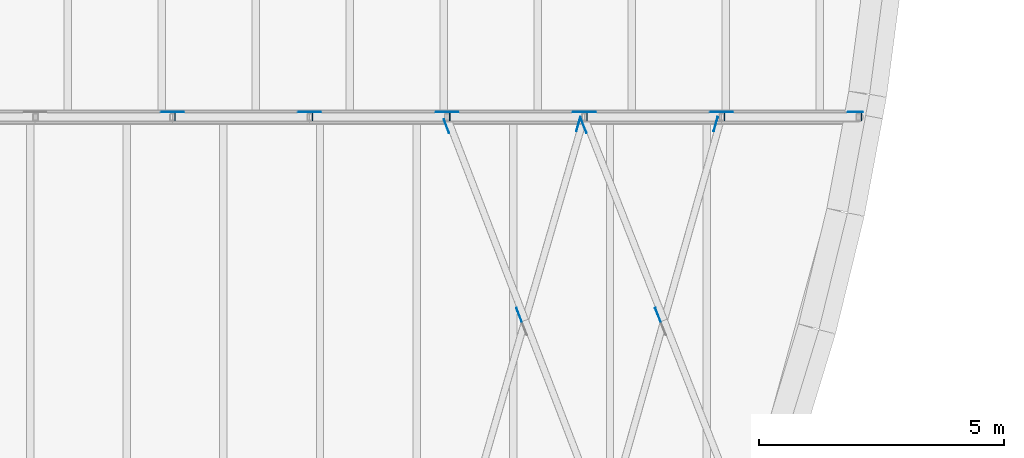
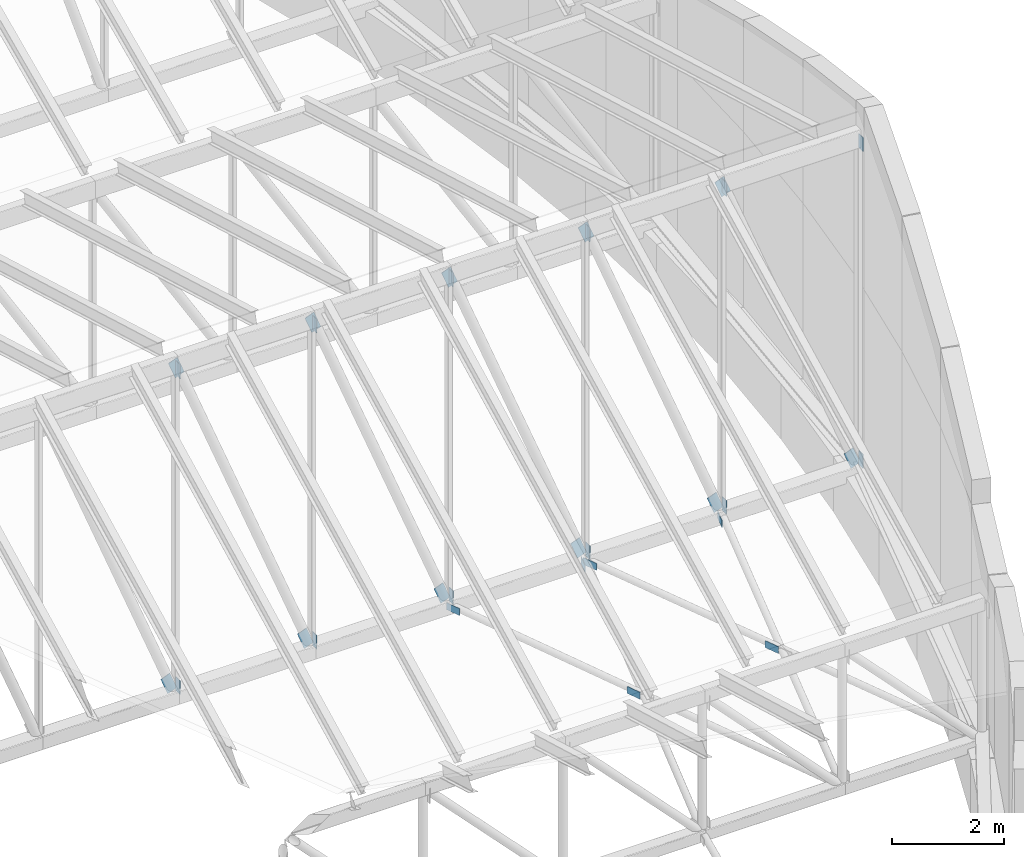
# One storey, part 56 of 68: 29 discrete accessories.
"""IFC4 building model written with IfcOpenShell, lengths in metres."""

from ifc_helpers import new_model, si_unit, direction, frame, origin, origin_2d, place, context, subcontext, project, spatial, rectangle, extrude, material, material_profile, profile_set, type_object, element, save


model = new_model("IFC4")

# Units and contexts
model_context = context("Model", 3, precision=1e-05, world=origin(), true_north=direction((0.0, 1.0)))
body_context = subcontext(model_context, "Body", "Model", "MODEL_VIEW")
ifc_project = project(units=[si_unit("LENGTHUNIT", "METRE"), si_unit("AREAUNIT", "SQUARE_METRE"), si_unit("VOLUMEUNIT", "CUBIC_METRE"), si_unit("PLANEANGLEUNIT", "RADIAN"), si_unit("MASSUNIT", "GRAM", prefix="KILO")], contexts=[model_context])

# Site, building, storey
site_placement = place(None, origin())
site = spatial("IfcSite", under=ifc_project, at=site_placement, CompositionType="ELEMENT")
building_placement = place(site_placement, origin())
building = spatial("IfcBuilding", under=site, at=building_placement, Name="Larchfold Concert Hall", CompositionType="ELEMENT")
storey_placement = place(building_placement, frame((0.0, 0.0, 28.800048828125)))
storey = spatial("IfcBuildingStorey", under=building, at=storey_placement, Name="L06", CompositionType="ELEMENT", Elevation=28.800048828125)

# Discrete accessories
ifc_material_1 = material(Name="Steel S355 galvanised bracket", Category="steel")
ifc_material_profile_1 = material_profile(ifc_material_1, rectangle(XDim=0.011962890625, YDim=0.14990234375, at=origin_2d()))
ifc_profile_set_1 = profile_set([ifc_material_profile_1], Name="Steel S355 galvanised bracket")
discrete_accessory_type_1 = type_object("IfcDiscreteAccessoryType", Name="Gusset plate 12x150", PredefinedType="BRACKET", material=ifc_profile_set_1)
for number, where, z_axis, x_axis, name in (
    (1, (52.470703125, 76.800048828125, 7.179931640625), (0.0, 0.0, -1.0), (1.0, 0.0, 0.0), "Gusset plate GP0259"),
    (2, (52.470703125, 76.800048828125, 0.320068359375), (0.0, 0.0, -1.0), (1.0, 0.0, 0.0), "Gusset plate GP0260"),
    (3, (55.27490234375, 76.800048828125, 7.179931640625), (0.0, 0.0, -1.0), (1.0, 0.0, 0.0), "Gusset plate GP0261"),
    (4, (55.27490234375, 76.800048828125, 0.320068359375), (0.0, 0.0, -1.0), (1.0, 0.0, 0.0), "Gusset plate GP0262"),
    (5, (58.0791015625, 76.800048828125, 7.199951171875), (0.0, 0.0, -1.0), (1.0, 0.0, 0.0), "Gusset plate GP0263"),
    (6, (58.0791015625, 76.800048828125, 0.300048828125), (0.0, 0.0, -1.0), (1.0, 0.0, 0.0), "Gusset plate GP0264"),
    (7, (60.88330078125, 76.800048828125, 7.199951171875), (0.0, 0.0, -1.0), (1.0, 0.0, 0.0), "Gusset plate GP0265"),
    (8, (60.88330078125, 76.800048828125, 0.300048828125), (0.0, 0.0, -1.0), (1.0, 0.0, 0.0), "Gusset plate GP0266"),
    (9, (63.6875, 76.800048828125, 7.199951171875), (0.0, 0.0, -1.0), (1.0, 0.0, 0.0), "Gusset plate GP0267"),
    (10, (63.6875, 76.800048828125, 0.300048828125), (0.0, 0.0, -1.0), (1.0, 0.0, 0.0), "Gusset plate GP0268"),
    (11, (66.49169921875, 76.800048828125, 7.199951171875), (0.0, 0.0, -1.0), (1.0, 0.0, 0.0), "Gusset plate GP0269"),
    (12, (66.49169921875, 76.800048828125, 0.320068359375), (0.0, 0.0, -1.0), (1.0, 0.0, 0.0), "Gusset plate GP0270"),
):
    element("IfcDiscreteAccessory", number, at=place(storey_placement, frame(where, z_axis=z_axis, x_axis=x_axis)), inside=storey, type_object=discrete_accessory_type_1, Name=name, PredefinedType="BRACKET", context=body_context, shape_type="SweptSolid", body=[
        extrude(rectangle(XDim=0.011962890625, YDim=0.14990234375, at=origin_2d()), origin(), (0.0, 0.0, 1.0), 0.300048828125),
    ])
discrete_accessory_placement = place(storey_placement, frame((63.471435546875, 76.5126953125, 0.0), z_axis=(0.272464540386, 0.962165824706, 0.0), x_axis=(-0.962165824706, 0.272464540386, 0.0)))
element("IfcDiscreteAccessory", 13, at=discrete_accessory_placement, inside=storey, type_object=discrete_accessory_type_1, Name="Gusset plate GP0590", PredefinedType="BRACKET", context=body_context, shape_type="SweptSolid", body=[
    extrude(rectangle(XDim=0.011962890625, YDim=0.14990234375, at=origin_2d()), origin(), (0.0, 0.0, 1.0), 0.30029296875),
])
for number, where, z_axis, x_axis, name in (
    (14, (62.386962890625, 72.620849609375, 0.0), (-0.365350251046, 0.930870127387, 0.0), (-0.930870127387, -0.365350251046, 0.0), "Gusset plate GP0593"),
    (15, (60.873779296875, 76.474365234375, 0.0), (-0.365350251046, 0.930870127387, 0.0), (-0.930870127387, -0.365350251046, 0.0), "Gusset plate GP0594"),
    (16, (60.665283203125, 76.513916015625, 0.0), (0.279124912547, 0.960254801183, 0.0), (-0.960254801183, 0.279124912547, 0.0), "Gusset plate GP0596"),
    (17, (59.5498046875, 72.621337890625, 0.0), (-0.358870015676, 0.93338754644, 0.0), (-0.93338754644, -0.358870015676, 0.0), "Gusset plate GP0599"),
    (18, (58.0673828125, 76.47412109375, 0.0), (-0.359578666426, 0.93311477464, 0.0), (-0.93311477464, -0.359578666426, 0.0), "Gusset plate GP0600"),
):
    element("IfcDiscreteAccessory", number, at=place(storey_placement, frame(where, z_axis=z_axis, x_axis=x_axis)), inside=storey, type_object=discrete_accessory_type_1, Name=name, PredefinedType="BRACKET", context=body_context, shape_type="SweptSolid", body=[
        extrude(rectangle(XDim=0.011962890625, YDim=0.14990234375, at=origin_2d()), origin(), (0.0, 0.0, 1.0), 0.300048828125),
    ])
ifc_material_2 = material(Name="Steel S355 galvanised bracket", Category="steel")
ifc_material_profile_2 = material_profile(ifc_material_2, rectangle(XDim=0.011962890625, YDim=0.199951171875, at=origin_2d()))
ifc_profile_set_2 = profile_set([ifc_material_profile_2], Name="Steel S355 galvanised bracket")
discrete_accessory_type_2 = type_object("IfcDiscreteAccessoryType", Name="Gusset plate 12x200", PredefinedType="BRACKET", material=ifc_profile_set_2)
for number, where, z_axis, x_axis, name in (
    (19, (52.266845703125, 76.90283203125, 0.379638671875), (0.36290227793, 0.0, -0.931827203227), (0.0, 1.0, 0.0), "Gusset plate GP0294"),
    (20, (52.422119140625, 76.90283203125, 7.181396484375), (0.36290227793, 0.0, -0.931827203227), (0.0, 1.0, 0.0), "Gusset plate GP0295"),
    (21, (55.071044921875, 76.90283203125, 0.379638671875), (0.36290227793, 0.0, -0.931827203227), (0.0, 1.0, 0.0), "Gusset plate GP0296"),
    (22, (55.226318359375, 76.90283203125, 7.181396484375), (0.36290227793, 0.0, -0.931827203227), (0.0, 1.0, 0.0), "Gusset plate GP0297"),
    (23, (57.875244140625, 76.90283203125, 0.379638671875), (0.36290227793, 0.0, -0.931827203227), (0.0, 1.0, 0.0), "Gusset plate GP0298"),
    (24, (58.030517578125, 76.90283203125, 7.181396484375), (0.36290227793, 0.0, -0.931827203227), (0.0, 1.0, 0.0), "Gusset plate GP0299"),
    (25, (60.679443359375, 76.90283203125, 0.379638671875), (0.36290227793, 0.0, -0.931827203227), (0.0, 1.0, 0.0), "Gusset plate GP0300"),
    (26, (60.834716796875, 76.90283203125, 7.181396484375), (0.36290227793, 0.0, -0.931827203227), (0.0, 1.0, 0.0), "Gusset plate GP0301"),
    (27, (63.483642578125, 76.90283203125, 0.379638671875), (0.36290227793, 0.0, -0.931827203227), (0.0, 1.0, 0.0), "Gusset plate GP0302"),
    (28, (63.638916015625, 76.90283203125, 7.181396484375), (0.36290227793, 0.0, -0.931827203227), (0.0, 1.0, 0.0), "Gusset plate GP0303"),
    (29, (66.295166015625, 76.90283203125, 0.361083984375), (0.36290227793, 0.0, -0.931827203227), (0.0, 1.0, 0.0), "Gusset plate GP0304"),
):
    element("IfcDiscreteAccessory", number, at=place(storey_placement, frame(where, z_axis=z_axis, x_axis=x_axis)), inside=storey, type_object=discrete_accessory_type_2, Name=name, PredefinedType="BRACKET", context=body_context, shape_type="SweptSolid", body=[
        extrude(rectangle(XDim=0.011962890625, YDim=0.199951171875, at=origin_2d()), origin(), (0.0, 0.0, 1.0), 0.387451171875),
    ])

save(model, "model.ifc")
